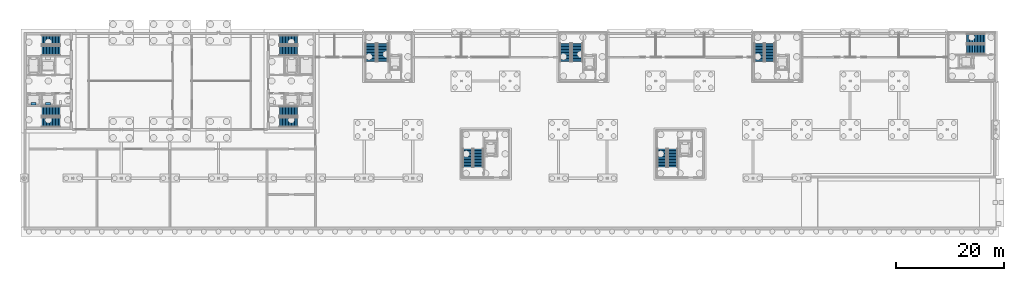
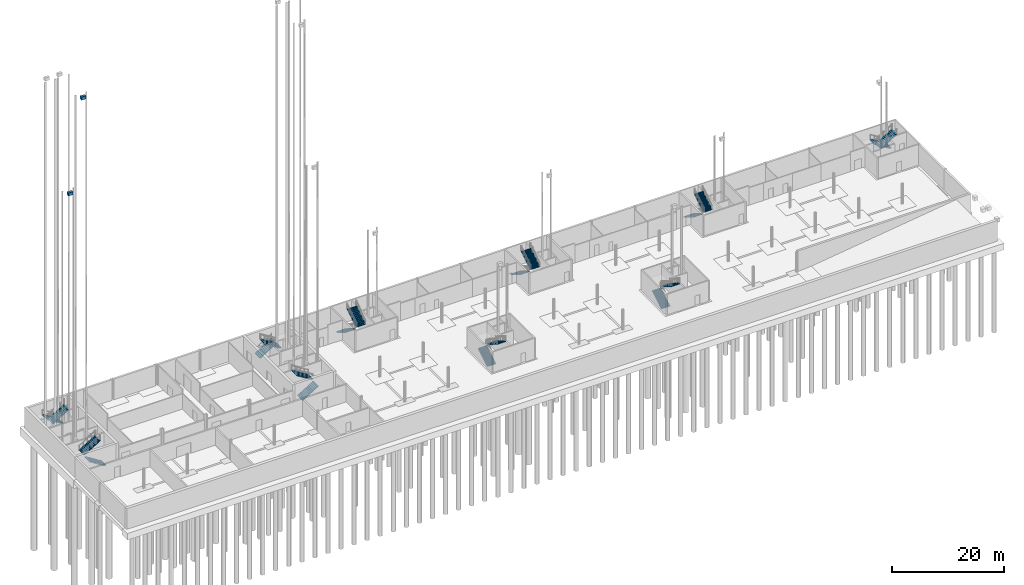
# One storey, part 19 of 41: 20 stair flights, 2 discrete accessories, 10 elements without a shape of their own.
"""IFC4 building model written with IfcOpenShell, lengths in metres."""

from ifc_helpers import new_model, si_unit, direction, frame, origin, origin_2d, place, context, subcontext, project, spatial, polyline, rectangle, outline, extrude, material, type_object, element, aggregate, save


model = new_model("IFC4")

# Units and contexts
model_context = context("Model", 3, precision=1e-05, world=origin(), true_north=direction((0.0, 1.0)))
body_context = subcontext(model_context, "Body", "Model", "MODEL_VIEW")
ifc_project = project(units=[si_unit("LENGTHUNIT", "METRE"), si_unit("AREAUNIT", "SQUARE_METRE"), si_unit("VOLUMEUNIT", "CUBIC_METRE"), si_unit("PLANEANGLEUNIT", "RADIAN"), si_unit("MASSUNIT", "GRAM", prefix="KILO")], contexts=[model_context])

# Site, building, storey
site_placement = place(None, origin())
site = spatial("IfcSite", under=ifc_project, at=site_placement, CompositionType="ELEMENT")
building_placement = place(site_placement, origin())
building = spatial("IfcBuilding", under=site, at=building_placement, Name="Corbel Yard City Hall", CompositionType="ELEMENT")
storey_placement = place(building_placement, frame((0.0, 0.0, -4.5)))
storey = spatial("IfcBuildingStorey", under=building, at=storey_placement, Name="B1", CompositionType="ELEMENT", Elevation=-4.5)

# Stair, stair flights
ifc_material_1 = material(Name="Concrete N40 (40 MPa)", Category="concrete")
stair_type_1 = type_object("IfcStairType", Name="ST1", PredefinedType="HALF_TURN_STAIR", material=ifc_material_1)
stair_1_placement = place(storey_placement, origin())
stair_1 = element("IfcStair", 1, at=stair_1_placement, inside=storey, type_object=stair_type_1, Name="Exit stair B1", PredefinedType="HALF_TURN_STAIR")
stair_flight_type_1 = type_object("IfcStairFlightType", Name="FL1", PredefinedType="STRAIGHT", material=ifc_material_1)
stair_flight_1_placement = place(storey_placement, frame((136.14990234375, 114.949951171875, 0.0), z_axis=(0.0, 0.0, 1.0), x_axis=(0.0, -1.0, 0.0)))
stair_flight_1 = element("IfcStairFlight", 2, at=stair_flight_1_placement, type_object=stair_flight_type_1, Name="PS18 flight 1", NumberOfRisers=13, NumberOfTreads=12, PredefinedType="STRAIGHT", RiserHeight=0.173077, TreadLength=0.28, context=body_context, shape_type="SweptSolid", body=[
    extrude(outline(polyline([(0.0, 0.0), (0.0, 0.173095703125), (0.280029296875, 0.173095703125), (0.280029296875, 0.34619140625), (0.56005859375, 0.34619140625), (0.56005859375, 0.519287109375), (0.840087890625, 0.519287109375), (0.840087890625, 0.6923828125), (1.1201171875, 0.6923828125), (1.1201171875, 0.865478515625), (1.39990234375, 0.865478515625), (1.39990234375, 1.03857421875), (1.679931640625, 1.03857421875), (1.679931640625, 1.21142578125), (1.9599609375, 1.21142578125), (1.9599609375, 1.384521484375), (2.239990234375, 1.384521484375), (2.239990234375, 1.5576171875), (2.52001953125, 1.5576171875), (2.52001953125, 1.730712890625), (2.800048828125, 1.730712890625), (2.800048828125, 1.90380859375), (3.080078125, 1.90380859375), (3.080078125, 2.076904296875), (3.360107421875, 2.076904296875), (3.360107421875, 2.25), (3.360107421875, 1.900634765625), (0.28515625, 0.0), (0.0, 0.0)])), frame((0.0, 0.89990234375, 0.0), z_axis=(0.0, -1.0, 0.0), x_axis=(1.0, 0.0, 0.0)), (0.0, 0.0, 1.0), 1.800048828125),
])
stair_flight_2_placement = place(storey_placement, frame((138.14990234375, 111.590087890625, 2.25), z_axis=(0.0, 0.0, 1.0), x_axis=(0.0, 1.0, 0.0)))
stair_flight_2 = element("IfcStairFlight", 3, at=stair_flight_2_placement, type_object=stair_flight_type_1, Name="PS18 flight 2", NumberOfRisers=13, NumberOfTreads=12, PredefinedType="STRAIGHT", RiserHeight=0.173077, TreadLength=0.28, context=body_context, shape_type="SweptSolid", body=[
    extrude(outline(polyline([(0.0, 0.0), (0.0, 0.173095703125), (0.280029296875, 0.173095703125), (0.280029296875, 0.34619140625), (0.56005859375, 0.34619140625), (0.56005859375, 0.519287109375), (0.840087890625, 0.519287109375), (0.840087890625, 0.6923828125), (1.1201171875, 0.6923828125), (1.1201171875, 0.865478515625), (1.39990234375, 0.865478515625), (1.39990234375, 1.03857421875), (1.679931640625, 1.03857421875), (1.679931640625, 1.21142578125), (1.9599609375, 1.21142578125), (1.9599609375, 1.384521484375), (2.239990234375, 1.384521484375), (2.239990234375, 1.5576171875), (2.52001953125, 1.5576171875), (2.52001953125, 1.730712890625), (2.800048828125, 1.730712890625), (2.800048828125, 1.90380859375), (3.080078125, 1.90380859375), (3.080078125, 2.076904296875), (3.360107421875, 2.076904296875), (3.360107421875, 2.25), (3.360107421875, 1.900634765625), (0.28515625, 0.0), (0.0, 0.0)])), frame((0.0, 0.89990234375, 0.0), z_axis=(0.0, -1.0, 0.0), x_axis=(1.0, 0.0, 0.0)), (0.0, 0.0, 1.0), 1.800048828125),
])
aggregate(stair_1, [stair_flight_1, stair_flight_2])

stair_2_placement = place(storey_placement, origin())
stair_2 = element("IfcStair", 4, at=stair_2_placement, inside=storey, type_object=stair_type_1, Name="Exit stair B1", PredefinedType="HALF_TURN_STAIR")
stair_flight_3_placement = place(storey_placement, frame((177.949951171875, 115.85009765625, 0.0), z_axis=(0.0, 0.0, 1.0), x_axis=(-1.0, 0.0, 0.0)))
stair_flight_3 = element("IfcStairFlight", 5, at=stair_flight_3_placement, type_object=stair_flight_type_1, Name="PS19 flight 1", NumberOfRisers=13, NumberOfTreads=12, PredefinedType="STRAIGHT", RiserHeight=0.173077, TreadLength=0.28, context=body_context, shape_type="SweptSolid", body=[
    extrude(outline(polyline([(0.0, 0.0), (0.0, 0.173095703125), (0.280029296875, 0.173095703125), (0.280029296875, 0.34619140625), (0.56005859375, 0.34619140625), (0.56005859375, 0.519287109375), (0.840087890625, 0.519287109375), (0.840087890625, 0.6923828125), (1.1201171875, 0.6923828125), (1.1201171875, 0.865478515625), (1.39990234375, 0.865478515625), (1.39990234375, 1.03857421875), (1.679931640625, 1.03857421875), (1.679931640625, 1.21142578125), (1.9599609375, 1.21142578125), (1.9599609375, 1.384521484375), (2.239990234375, 1.384521484375), (2.239990234375, 1.5576171875), (2.52001953125, 1.5576171875), (2.52001953125, 1.730712890625), (2.800048828125, 1.730712890625), (2.800048828125, 1.90380859375), (3.080078125, 1.90380859375), (3.080078125, 2.076904296875), (3.360107421875, 2.076904296875), (3.360107421875, 2.25), (3.360107421875, 1.900634765625), (0.28515625, 0.0), (0.0, 0.0)])), frame((0.0, 0.89990234375, 0.0), z_axis=(0.0, -1.0, 0.0), x_axis=(1.0, 0.0, 0.0)), (0.0, 0.0, 1.0), 1.800048828125),
])
stair_flight_4_placement = place(storey_placement, frame((174.590087890625, 113.85009765625, 2.25), z_axis=(0.0, 0.0, 1.0), x_axis=(1.0, 0.0, 0.0)))
stair_flight_4 = element("IfcStairFlight", 6, at=stair_flight_4_placement, type_object=stair_flight_type_1, Name="PS19 flight 2", NumberOfRisers=13, NumberOfTreads=12, PredefinedType="STRAIGHT", RiserHeight=0.173077, TreadLength=0.28, context=body_context, shape_type="SweptSolid", body=[
    extrude(outline(polyline([(0.0, 0.0), (0.0, 0.173095703125), (0.280029296875, 0.173095703125), (0.280029296875, 0.34619140625), (0.56005859375, 0.34619140625), (0.56005859375, 0.519287109375), (0.840087890625, 0.519287109375), (0.840087890625, 0.6923828125), (1.1201171875, 0.6923828125), (1.1201171875, 0.865478515625), (1.39990234375, 0.865478515625), (1.39990234375, 1.03857421875), (1.679931640625, 1.03857421875), (1.679931640625, 1.21142578125), (1.9599609375, 1.21142578125), (1.9599609375, 1.384521484375), (2.239990234375, 1.384521484375), (2.239990234375, 1.5576171875), (2.52001953125, 1.5576171875), (2.52001953125, 1.730712890625), (2.800048828125, 1.730712890625), (2.800048828125, 1.90380859375), (3.080078125, 1.90380859375), (3.080078125, 2.076904296875), (3.360107421875, 2.076904296875), (3.360107421875, 2.25), (3.360107421875, 1.900634765625), (0.28515625, 0.0), (0.0, 0.0)])), frame((0.0, 0.89990234375, 0.0), z_axis=(0.0, -1.0, 0.0), x_axis=(1.0, 0.0, 0.0)), (0.0, 0.0, 1.0), 1.800048828125),
])
aggregate(stair_2, [stair_flight_3, stair_flight_4])

stair_3_placement = place(storey_placement, origin())
stair_3 = element("IfcStair", 7, at=stair_3_placement, inside=storey, type_object=stair_type_1, Name="Exit stair B1", PredefinedType="HALF_TURN_STAIR")
stair_flight_5_placement = place(storey_placement, frame((82.14990234375, 92.050048828125, 0.0), z_axis=(0.0, 0.0, 1.0), x_axis=(0.0, 1.0, 0.0)))
stair_flight_5 = element("IfcStairFlight", 8, at=stair_flight_5_placement, type_object=stair_flight_type_1, Name="PS20 flight 1", NumberOfRisers=13, NumberOfTreads=12, PredefinedType="STRAIGHT", RiserHeight=0.173077, TreadLength=0.28, context=body_context, shape_type="SweptSolid", body=[
    extrude(outline(polyline([(0.0, 0.0), (0.0, 0.173095703125), (0.280029296875, 0.173095703125), (0.280029296875, 0.34619140625), (0.56005859375, 0.34619140625), (0.56005859375, 0.519287109375), (0.840087890625, 0.519287109375), (0.840087890625, 0.6923828125), (1.1201171875, 0.6923828125), (1.1201171875, 0.865478515625), (1.39990234375, 0.865478515625), (1.39990234375, 1.03857421875), (1.679931640625, 1.03857421875), (1.679931640625, 1.21142578125), (1.9599609375, 1.21142578125), (1.9599609375, 1.384521484375), (2.239990234375, 1.384521484375), (2.239990234375, 1.5576171875), (2.52001953125, 1.5576171875), (2.52001953125, 1.730712890625), (2.800048828125, 1.730712890625), (2.800048828125, 1.90380859375), (3.080078125, 1.90380859375), (3.080078125, 2.076904296875), (3.360107421875, 2.076904296875), (3.360107421875, 2.25), (3.360107421875, 1.900634765625), (0.28515625, 0.0), (0.0, 0.0)])), frame((0.0, 0.89990234375, 0.0), z_axis=(0.0, -1.0, 0.0), x_axis=(1.0, 0.0, 0.0)), (0.0, 0.0, 1.0), 1.800048828125),
])
stair_flight_6_placement = place(storey_placement, frame((84.14990234375, 95.409912109375, 2.25), z_axis=(0.0, 0.0, 1.0), x_axis=(0.0, -1.0, 0.0)))
stair_flight_6 = element("IfcStairFlight", 9, at=stair_flight_6_placement, type_object=stair_flight_type_1, Name="PS20 flight 2", NumberOfRisers=13, NumberOfTreads=12, PredefinedType="STRAIGHT", RiserHeight=0.173077, TreadLength=0.28, context=body_context, shape_type="SweptSolid", body=[
    extrude(outline(polyline([(0.0, 0.0), (0.0, 0.173095703125), (0.280029296875, 0.173095703125), (0.280029296875, 0.34619140625), (0.56005859375, 0.34619140625), (0.56005859375, 0.519287109375), (0.840087890625, 0.519287109375), (0.840087890625, 0.6923828125), (1.1201171875, 0.6923828125), (1.1201171875, 0.865478515625), (1.39990234375, 0.865478515625), (1.39990234375, 1.03857421875), (1.679931640625, 1.03857421875), (1.679931640625, 1.21142578125), (1.9599609375, 1.21142578125), (1.9599609375, 1.384521484375), (2.239990234375, 1.384521484375), (2.239990234375, 1.5576171875), (2.52001953125, 1.5576171875), (2.52001953125, 1.730712890625), (2.800048828125, 1.730712890625), (2.800048828125, 1.90380859375), (3.080078125, 1.90380859375), (3.080078125, 2.076904296875), (3.360107421875, 2.076904296875), (3.360107421875, 2.25), (3.360107421875, 1.900634765625), (0.28515625, 0.0), (0.0, 0.0)])), frame((0.0, 0.89990234375, 0.0), z_axis=(0.0, -1.0, 0.0), x_axis=(1.0, 0.0, 0.0)), (0.0, 0.0, 1.0), 1.800048828125),
])
aggregate(stair_3, [stair_flight_5, stair_flight_6])

stair_4_placement = place(storey_placement, origin())
stair_4 = element("IfcStair", 10, at=stair_4_placement, inside=storey, type_object=stair_type_1, Name="Exit stair B1", PredefinedType="HALF_TURN_STAIR")
stair_flight_7_placement = place(storey_placement, frame((118.14990234375, 92.050048828125, 0.0), z_axis=(0.0, 0.0, 1.0), x_axis=(0.0, 1.0, 0.0)))
stair_flight_7 = element("IfcStairFlight", 11, at=stair_flight_7_placement, type_object=stair_flight_type_1, Name="PS21 flight 1", NumberOfRisers=13, NumberOfTreads=12, PredefinedType="STRAIGHT", RiserHeight=0.173077, TreadLength=0.28, context=body_context, shape_type="SweptSolid", body=[
    extrude(outline(polyline([(0.0, 0.0), (0.0, 0.173095703125), (0.280029296875, 0.173095703125), (0.280029296875, 0.34619140625), (0.56005859375, 0.34619140625), (0.56005859375, 0.519287109375), (0.840087890625, 0.519287109375), (0.840087890625, 0.6923828125), (1.1201171875, 0.6923828125), (1.1201171875, 0.865478515625), (1.39990234375, 0.865478515625), (1.39990234375, 1.03857421875), (1.679931640625, 1.03857421875), (1.679931640625, 1.21142578125), (1.9599609375, 1.21142578125), (1.9599609375, 1.384521484375), (2.239990234375, 1.384521484375), (2.239990234375, 1.5576171875), (2.52001953125, 1.5576171875), (2.52001953125, 1.730712890625), (2.800048828125, 1.730712890625), (2.800048828125, 1.90380859375), (3.080078125, 1.90380859375), (3.080078125, 2.076904296875), (3.360107421875, 2.076904296875), (3.360107421875, 2.25), (3.360107421875, 1.900634765625), (0.28515625, 0.0), (0.0, 0.0)])), frame((0.0, 0.89990234375, 0.0), z_axis=(0.0, -1.0, 0.0), x_axis=(1.0, 0.0, 0.0)), (0.0, 0.0, 1.0), 1.800048828125),
])
stair_flight_8_placement = place(storey_placement, frame((120.14990234375, 95.409912109375, 2.25), z_axis=(0.0, 0.0, 1.0), x_axis=(0.0, -1.0, 0.0)))
stair_flight_8 = element("IfcStairFlight", 12, at=stair_flight_8_placement, type_object=stair_flight_type_1, Name="PS21 flight 2", NumberOfRisers=13, NumberOfTreads=12, PredefinedType="STRAIGHT", RiserHeight=0.173077, TreadLength=0.28, context=body_context, shape_type="SweptSolid", body=[
    extrude(outline(polyline([(0.0, 0.0), (0.0, 0.173095703125), (0.280029296875, 0.173095703125), (0.280029296875, 0.34619140625), (0.56005859375, 0.34619140625), (0.56005859375, 0.519287109375), (0.840087890625, 0.519287109375), (0.840087890625, 0.6923828125), (1.1201171875, 0.6923828125), (1.1201171875, 0.865478515625), (1.39990234375, 0.865478515625), (1.39990234375, 1.03857421875), (1.679931640625, 1.03857421875), (1.679931640625, 1.21142578125), (1.9599609375, 1.21142578125), (1.9599609375, 1.384521484375), (2.239990234375, 1.384521484375), (2.239990234375, 1.5576171875), (2.52001953125, 1.5576171875), (2.52001953125, 1.730712890625), (2.800048828125, 1.730712890625), (2.800048828125, 1.90380859375), (3.080078125, 1.90380859375), (3.080078125, 2.076904296875), (3.360107421875, 2.076904296875), (3.360107421875, 2.25), (3.360107421875, 1.900634765625), (0.28515625, 0.0), (0.0, 0.0)])), frame((0.0, 0.89990234375, 0.0), z_axis=(0.0, -1.0, 0.0), x_axis=(1.0, 0.0, 0.0)), (0.0, 0.0, 1.0), 1.800048828125),
])
aggregate(stair_4, [stair_flight_7, stair_flight_8])

stair_5_placement = place(storey_placement, origin())
stair_5 = element("IfcStair", 13, at=stair_5_placement, inside=storey, type_object=stair_type_1, Name="Exit stair ST-W1 B1", PredefinedType="HALF_TURN_STAIR")
stair_flight_9_placement = place(storey_placement, frame((6.699951171875, 100.39990234375, 0.0), z_axis=(0.0, 0.0, 1.0), x_axis=(-1.0, 0.0, 0.0)))
stair_flight_9 = element("IfcStairFlight", 14, at=stair_flight_9_placement, type_object=stair_flight_type_1, Name="ST-W1 flight 1", NumberOfRisers=13, NumberOfTreads=12, PredefinedType="STRAIGHT", RiserHeight=0.173077, TreadLength=0.28, context=body_context, shape_type="SweptSolid", body=[
    extrude(outline(polyline([(0.0, 0.0), (0.0, 0.173095703125), (0.280029296875, 0.173095703125), (0.280029296875, 0.34619140625), (0.56005859375, 0.34619140625), (0.56005859375, 0.519287109375), (0.840087890625, 0.519287109375), (0.840087890625, 0.6923828125), (1.1201171875, 0.6923828125), (1.1201171875, 0.865478515625), (1.39990234375, 0.865478515625), (1.39990234375, 1.03857421875), (1.679931640625, 1.03857421875), (1.679931640625, 1.21142578125), (1.9599609375, 1.21142578125), (1.9599609375, 1.384521484375), (2.239990234375, 1.384521484375), (2.239990234375, 1.5576171875), (2.52001953125, 1.5576171875), (2.52001953125, 1.730712890625), (2.800048828125, 1.730712890625), (2.800048828125, 1.90380859375), (3.080078125, 1.90380859375), (3.080078125, 2.076904296875), (3.360107421875, 2.076904296875), (3.360107421875, 2.25), (3.360107421875, 1.900634765625), (0.28515625, 0.0), (0.0, 0.0)])), frame((0.0, 0.89990234375, 0.0), z_axis=(0.0, -1.0, 0.0), x_axis=(1.0, 0.0, 0.0)), (0.0, 0.0, 1.0), 1.800048828125),
])
stair_flight_10_placement = place(storey_placement, frame((3.340087890625, 102.39990234375, 2.25), z_axis=(0.0, 0.0, 1.0), x_axis=(1.0, 0.0, 0.0)))
stair_flight_10 = element("IfcStairFlight", 15, at=stair_flight_10_placement, type_object=stair_flight_type_1, Name="ST-W1 flight 2", NumberOfRisers=13, NumberOfTreads=12, PredefinedType="STRAIGHT", RiserHeight=0.173077, TreadLength=0.28, context=body_context, shape_type="SweptSolid", body=[
    extrude(outline(polyline([(0.0, 0.0), (0.0, 0.173095703125), (0.280029296875, 0.173095703125), (0.280029296875, 0.34619140625), (0.56005859375, 0.34619140625), (0.56005859375, 0.519287109375), (0.840087890625, 0.519287109375), (0.840087890625, 0.6923828125), (1.1201171875, 0.6923828125), (1.1201171875, 0.865478515625), (1.39990234375, 0.865478515625), (1.39990234375, 1.03857421875), (1.679931640625, 1.03857421875), (1.679931640625, 1.21142578125), (1.9599609375, 1.21142578125), (1.9599609375, 1.384521484375), (2.239990234375, 1.384521484375), (2.239990234375, 1.5576171875), (2.52001953125, 1.5576171875), (2.52001953125, 1.730712890625), (2.800048828125, 1.730712890625), (2.800048828125, 1.90380859375), (3.080078125, 1.90380859375), (3.080078125, 2.076904296875), (3.360107421875, 2.076904296875), (3.360107421875, 2.25), (3.360107421875, 1.900634765625), (0.28515625, 0.0), (0.0, 0.0)])), frame((0.0, 0.89990234375, 0.0), z_axis=(0.0, -1.0, 0.0), x_axis=(1.0, 0.0, 0.0)), (0.0, 0.0, 1.0), 1.800048828125),
])
aggregate(stair_5, [stair_flight_9, stair_flight_10])

stair_6_placement = place(storey_placement, origin())
stair_6 = element("IfcStair", 16, at=stair_6_placement, inside=storey, type_object=stair_type_1, Name="Exit stair ST-W2 B1", PredefinedType="HALF_TURN_STAIR")
stair_flight_11_placement = place(storey_placement, frame((6.699951171875, 115.60009765625, 0.0), z_axis=(0.0, 0.0, 1.0), x_axis=(-1.0, 0.0, 0.0)))
stair_flight_11 = element("IfcStairFlight", 17, at=stair_flight_11_placement, type_object=stair_flight_type_1, Name="ST-W2 flight 1", NumberOfRisers=13, NumberOfTreads=12, PredefinedType="STRAIGHT", RiserHeight=0.173077, TreadLength=0.28, context=body_context, shape_type="SweptSolid", body=[
    extrude(outline(polyline([(0.0, 0.0), (0.0, 0.173095703125), (0.280029296875, 0.173095703125), (0.280029296875, 0.34619140625), (0.56005859375, 0.34619140625), (0.56005859375, 0.519287109375), (0.840087890625, 0.519287109375), (0.840087890625, 0.6923828125), (1.1201171875, 0.6923828125), (1.1201171875, 0.865478515625), (1.39990234375, 0.865478515625), (1.39990234375, 1.03857421875), (1.679931640625, 1.03857421875), (1.679931640625, 1.21142578125), (1.9599609375, 1.21142578125), (1.9599609375, 1.384521484375), (2.239990234375, 1.384521484375), (2.239990234375, 1.5576171875), (2.52001953125, 1.5576171875), (2.52001953125, 1.730712890625), (2.800048828125, 1.730712890625), (2.800048828125, 1.90380859375), (3.080078125, 1.90380859375), (3.080078125, 2.076904296875), (3.360107421875, 2.076904296875), (3.360107421875, 2.25), (3.360107421875, 1.900634765625), (0.28515625, 0.0), (0.0, 0.0)])), frame((0.0, 0.89990234375, 0.0), z_axis=(0.0, -1.0, 0.0), x_axis=(1.0, 0.0, 0.0)), (0.0, 0.0, 1.0), 1.800048828125),
])
stair_flight_12_placement = place(storey_placement, frame((3.340087890625, 113.60009765625, 2.25), z_axis=(0.0, 0.0, 1.0), x_axis=(1.0, 0.0, 0.0)))
stair_flight_12 = element("IfcStairFlight", 18, at=stair_flight_12_placement, type_object=stair_flight_type_1, Name="ST-W2 flight 2", NumberOfRisers=13, NumberOfTreads=12, PredefinedType="STRAIGHT", RiserHeight=0.173077, TreadLength=0.28, context=body_context, shape_type="SweptSolid", body=[
    extrude(outline(polyline([(0.0, 0.0), (0.0, 0.173095703125), (0.280029296875, 0.173095703125), (0.280029296875, 0.34619140625), (0.56005859375, 0.34619140625), (0.56005859375, 0.519287109375), (0.840087890625, 0.519287109375), (0.840087890625, 0.6923828125), (1.1201171875, 0.6923828125), (1.1201171875, 0.865478515625), (1.39990234375, 0.865478515625), (1.39990234375, 1.03857421875), (1.679931640625, 1.03857421875), (1.679931640625, 1.21142578125), (1.9599609375, 1.21142578125), (1.9599609375, 1.384521484375), (2.239990234375, 1.384521484375), (2.239990234375, 1.5576171875), (2.52001953125, 1.5576171875), (2.52001953125, 1.730712890625), (2.800048828125, 1.730712890625), (2.800048828125, 1.90380859375), (3.080078125, 1.90380859375), (3.080078125, 2.076904296875), (3.360107421875, 2.076904296875), (3.360107421875, 2.25), (3.360107421875, 1.900634765625), (0.28515625, 0.0), (0.0, 0.0)])), frame((0.0, 0.89990234375, 0.0), z_axis=(0.0, -1.0, 0.0), x_axis=(1.0, 0.0, 0.0)), (0.0, 0.0, 1.0), 1.800048828125),
])
aggregate(stair_6, [stair_flight_11, stair_flight_12])

stair_7_placement = place(storey_placement, origin())
stair_7 = element("IfcStair", 19, at=stair_7_placement, inside=storey, type_object=stair_type_1, Name="Exit stair ST-E1 B1", PredefinedType="HALF_TURN_STAIR")
stair_flight_13_placement = place(storey_placement, frame((47.300048828125, 100.39990234375, 0.0), z_axis=(0.0, 0.0, 1.0), x_axis=(1.0, 0.0, 0.0)))
stair_flight_13 = element("IfcStairFlight", 20, at=stair_flight_13_placement, type_object=stair_flight_type_1, Name="ST-E1 flight 1", NumberOfRisers=13, NumberOfTreads=12, PredefinedType="STRAIGHT", RiserHeight=0.173077, TreadLength=0.28, context=body_context, shape_type="SweptSolid", body=[
    extrude(outline(polyline([(0.0, 0.0), (0.0, 0.173095703125), (0.280029296875, 0.173095703125), (0.280029296875, 0.34619140625), (0.56005859375, 0.34619140625), (0.56005859375, 0.519287109375), (0.840087890625, 0.519287109375), (0.840087890625, 0.6923828125), (1.1201171875, 0.6923828125), (1.1201171875, 0.865478515625), (1.39990234375, 0.865478515625), (1.39990234375, 1.03857421875), (1.679931640625, 1.03857421875), (1.679931640625, 1.21142578125), (1.9599609375, 1.21142578125), (1.9599609375, 1.384521484375), (2.239990234375, 1.384521484375), (2.239990234375, 1.5576171875), (2.52001953125, 1.5576171875), (2.52001953125, 1.730712890625), (2.800048828125, 1.730712890625), (2.800048828125, 1.90380859375), (3.080078125, 1.90380859375), (3.080078125, 2.076904296875), (3.360107421875, 2.076904296875), (3.360107421875, 2.25), (3.360107421875, 1.900634765625), (0.28515625, 0.0), (0.0, 0.0)])), frame((0.0, 0.89990234375, 0.0), z_axis=(0.0, -1.0, 0.0), x_axis=(1.0, 0.0, 0.0)), (0.0, 0.0, 1.0), 1.800048828125),
])
stair_flight_14_placement = place(storey_placement, frame((50.659912109375, 102.39990234375, 2.25), z_axis=(0.0, 0.0, 1.0), x_axis=(-1.0, 0.0, 0.0)))
stair_flight_14 = element("IfcStairFlight", 21, at=stair_flight_14_placement, type_object=stair_flight_type_1, Name="ST-E1 flight 2", NumberOfRisers=13, NumberOfTreads=12, PredefinedType="STRAIGHT", RiserHeight=0.173077, TreadLength=0.28, context=body_context, shape_type="SweptSolid", body=[
    extrude(outline(polyline([(0.0, 0.0), (0.0, 0.173095703125), (0.280029296875, 0.173095703125), (0.280029296875, 0.34619140625), (0.56005859375, 0.34619140625), (0.56005859375, 0.519287109375), (0.840087890625, 0.519287109375), (0.840087890625, 0.6923828125), (1.1201171875, 0.6923828125), (1.1201171875, 0.865478515625), (1.39990234375, 0.865478515625), (1.39990234375, 1.03857421875), (1.679931640625, 1.03857421875), (1.679931640625, 1.21142578125), (1.9599609375, 1.21142578125), (1.9599609375, 1.384521484375), (2.239990234375, 1.384521484375), (2.239990234375, 1.5576171875), (2.52001953125, 1.5576171875), (2.52001953125, 1.730712890625), (2.800048828125, 1.730712890625), (2.800048828125, 1.90380859375), (3.080078125, 1.90380859375), (3.080078125, 2.076904296875), (3.360107421875, 2.076904296875), (3.360107421875, 2.25), (3.360107421875, 1.900634765625), (0.28515625, 0.0), (0.0, 0.0)])), frame((0.0, 0.89990234375, 0.0), z_axis=(0.0, -1.0, 0.0), x_axis=(1.0, 0.0, 0.0)), (0.0, 0.0, 1.0), 1.800048828125),
])
aggregate(stair_7, [stair_flight_13, stair_flight_14])

stair_8_placement = place(storey_placement, origin())
stair_8 = element("IfcStair", 22, at=stair_8_placement, inside=storey, type_object=stair_type_1, Name="Exit stair ST-E2 B1", PredefinedType="HALF_TURN_STAIR")
stair_flight_15_placement = place(storey_placement, frame((47.300048828125, 115.60009765625, 0.0), z_axis=(0.0, 0.0, 1.0), x_axis=(1.0, 0.0, 0.0)))
stair_flight_15 = element("IfcStairFlight", 23, at=stair_flight_15_placement, type_object=stair_flight_type_1, Name="ST-E2 flight 1", NumberOfRisers=13, NumberOfTreads=12, PredefinedType="STRAIGHT", RiserHeight=0.173077, TreadLength=0.28, context=body_context, shape_type="SweptSolid", body=[
    extrude(outline(polyline([(0.0, 0.0), (0.0, 0.173095703125), (0.280029296875, 0.173095703125), (0.280029296875, 0.34619140625), (0.56005859375, 0.34619140625), (0.56005859375, 0.519287109375), (0.840087890625, 0.519287109375), (0.840087890625, 0.6923828125), (1.1201171875, 0.6923828125), (1.1201171875, 0.865478515625), (1.39990234375, 0.865478515625), (1.39990234375, 1.03857421875), (1.679931640625, 1.03857421875), (1.679931640625, 1.21142578125), (1.9599609375, 1.21142578125), (1.9599609375, 1.384521484375), (2.239990234375, 1.384521484375), (2.239990234375, 1.5576171875), (2.52001953125, 1.5576171875), (2.52001953125, 1.730712890625), (2.800048828125, 1.730712890625), (2.800048828125, 1.90380859375), (3.080078125, 1.90380859375), (3.080078125, 2.076904296875), (3.360107421875, 2.076904296875), (3.360107421875, 2.25), (3.360107421875, 1.900634765625), (0.28515625, 0.0), (0.0, 0.0)])), frame((0.0, 0.89990234375, 0.0), z_axis=(0.0, -1.0, 0.0), x_axis=(1.0, 0.0, 0.0)), (0.0, 0.0, 1.0), 1.800048828125),
])
stair_flight_16_placement = place(storey_placement, frame((50.659912109375, 113.60009765625, 2.25), z_axis=(0.0, 0.0, 1.0), x_axis=(-1.0, 0.0, 0.0)))
stair_flight_16 = element("IfcStairFlight", 24, at=stair_flight_16_placement, type_object=stair_flight_type_1, Name="ST-E2 flight 2", NumberOfRisers=13, NumberOfTreads=12, PredefinedType="STRAIGHT", RiserHeight=0.173077, TreadLength=0.28, context=body_context, shape_type="SweptSolid", body=[
    extrude(outline(polyline([(0.0, 0.0), (0.0, 0.173095703125), (0.280029296875, 0.173095703125), (0.280029296875, 0.34619140625), (0.56005859375, 0.34619140625), (0.56005859375, 0.519287109375), (0.840087890625, 0.519287109375), (0.840087890625, 0.6923828125), (1.1201171875, 0.6923828125), (1.1201171875, 0.865478515625), (1.39990234375, 0.865478515625), (1.39990234375, 1.03857421875), (1.679931640625, 1.03857421875), (1.679931640625, 1.21142578125), (1.9599609375, 1.21142578125), (1.9599609375, 1.384521484375), (2.239990234375, 1.384521484375), (2.239990234375, 1.5576171875), (2.52001953125, 1.5576171875), (2.52001953125, 1.730712890625), (2.800048828125, 1.730712890625), (2.800048828125, 1.90380859375), (3.080078125, 1.90380859375), (3.080078125, 2.076904296875), (3.360107421875, 2.076904296875), (3.360107421875, 2.25), (3.360107421875, 1.900634765625), (0.28515625, 0.0), (0.0, 0.0)])), frame((0.0, 0.89990234375, 0.0), z_axis=(0.0, -1.0, 0.0), x_axis=(1.0, 0.0, 0.0)), (0.0, 0.0, 1.0), 1.800048828125),
])
aggregate(stair_8, [stair_flight_15, stair_flight_16])

stair_type_2 = type_object("IfcStairType", Name="ST31", PredefinedType="HALF_TURN_STAIR", material=ifc_material_1)
stair_9_placement = place(storey_placement, origin())
stair_9 = element("IfcStair", 25, at=stair_9_placement, inside=storey, type_object=stair_type_2, Name="Exit stair B1", PredefinedType="HALF_TURN_STAIR")
stair_flight_type_2 = type_object("IfcStairFlightType", Name="FL31", PredefinedType="STRAIGHT", material=ifc_material_1)
stair_flight_17_placement = place(storey_placement, frame((64.25, 114.949951171875, 0.0), z_axis=(0.0, 0.0, 1.0), x_axis=(0.0, -1.0, 0.0)))
stair_flight_17 = element("IfcStairFlight", 26, at=stair_flight_17_placement, type_object=stair_flight_type_2, Name="PS16 flight 1", NumberOfRisers=13, NumberOfTreads=12, PredefinedType="STRAIGHT", RiserHeight=0.173077, TreadLength=0.28, context=body_context, shape_type="SweptSolid", body=[
    extrude(outline(polyline([(0.0, 0.0), (0.0, 0.173095703125), (0.280029296875, 0.173095703125), (0.280029296875, 0.34619140625), (0.56005859375, 0.34619140625), (0.56005859375, 0.519287109375), (0.840087890625, 0.519287109375), (0.840087890625, 0.6923828125), (1.1201171875, 0.6923828125), (1.1201171875, 0.865478515625), (1.39990234375, 0.865478515625), (1.39990234375, 1.03857421875), (1.679931640625, 1.03857421875), (1.679931640625, 1.21142578125), (1.9599609375, 1.21142578125), (1.9599609375, 1.384521484375), (2.239990234375, 1.384521484375), (2.239990234375, 1.5576171875), (2.52001953125, 1.5576171875), (2.52001953125, 1.730712890625), (2.800048828125, 1.730712890625), (2.800048828125, 1.90380859375), (3.080078125, 1.90380859375), (3.080078125, 2.076904296875), (3.360107421875, 2.076904296875), (3.360107421875, 2.25), (3.360107421875, 1.900634765625), (0.28515625, 0.0), (0.0, 0.0)])), frame((0.0, 1.0, 0.0), z_axis=(0.0, -1.0, 0.0), x_axis=(1.0, 0.0, 0.0)), (0.0, 0.0, 1.0), 2.0),
])
stair_flight_18_placement = place(storey_placement, frame((66.449951171875, 111.590087890625, 2.25), z_axis=(0.0, 0.0, 1.0), x_axis=(0.0, 1.0, 0.0)))
stair_flight_18 = element("IfcStairFlight", 27, at=stair_flight_18_placement, type_object=stair_flight_type_2, Name="PS16 flight 2", NumberOfRisers=13, NumberOfTreads=12, PredefinedType="STRAIGHT", RiserHeight=0.173077, TreadLength=0.28, context=body_context, shape_type="SweptSolid", body=[
    extrude(outline(polyline([(0.0, 0.0), (0.0, 0.173095703125), (0.280029296875, 0.173095703125), (0.280029296875, 0.34619140625), (0.56005859375, 0.34619140625), (0.56005859375, 0.519287109375), (0.840087890625, 0.519287109375), (0.840087890625, 0.6923828125), (1.1201171875, 0.6923828125), (1.1201171875, 0.865478515625), (1.39990234375, 0.865478515625), (1.39990234375, 1.03857421875), (1.679931640625, 1.03857421875), (1.679931640625, 1.21142578125), (1.9599609375, 1.21142578125), (1.9599609375, 1.384521484375), (2.239990234375, 1.384521484375), (2.239990234375, 1.5576171875), (2.52001953125, 1.5576171875), (2.52001953125, 1.730712890625), (2.800048828125, 1.730712890625), (2.800048828125, 1.90380859375), (3.080078125, 1.90380859375), (3.080078125, 2.076904296875), (3.360107421875, 2.076904296875), (3.360107421875, 2.25), (3.360107421875, 1.900634765625), (0.28515625, 0.0), (0.0, 0.0)])), frame((0.0, 1.0, 0.0), z_axis=(0.0, -1.0, 0.0), x_axis=(1.0, 0.0, 0.0)), (0.0, 0.0, 1.0), 2.0),
])
aggregate(stair_9, [stair_flight_17, stair_flight_18])

stair_10_placement = place(storey_placement, origin())
stair_10 = element("IfcStair", 28, at=stair_10_placement, inside=storey, type_object=stair_type_2, Name="Exit stair B1", PredefinedType="HALF_TURN_STAIR")
stair_flight_19_placement = place(storey_placement, frame((100.25, 114.949951171875, 0.0), z_axis=(0.0, 0.0, 1.0), x_axis=(0.0, -1.0, 0.0)))
stair_flight_19 = element("IfcStairFlight", 29, at=stair_flight_19_placement, type_object=stair_flight_type_2, Name="PS17 flight 1", NumberOfRisers=13, NumberOfTreads=12, PredefinedType="STRAIGHT", RiserHeight=0.173077, TreadLength=0.28, context=body_context, shape_type="SweptSolid", body=[
    extrude(outline(polyline([(0.0, 0.0), (0.0, 0.173095703125), (0.280029296875, 0.173095703125), (0.280029296875, 0.34619140625), (0.56005859375, 0.34619140625), (0.56005859375, 0.519287109375), (0.840087890625, 0.519287109375), (0.840087890625, 0.6923828125), (1.1201171875, 0.6923828125), (1.1201171875, 0.865478515625), (1.39990234375, 0.865478515625), (1.39990234375, 1.03857421875), (1.679931640625, 1.03857421875), (1.679931640625, 1.21142578125), (1.9599609375, 1.21142578125), (1.9599609375, 1.384521484375), (2.239990234375, 1.384521484375), (2.239990234375, 1.5576171875), (2.52001953125, 1.5576171875), (2.52001953125, 1.730712890625), (2.800048828125, 1.730712890625), (2.800048828125, 1.90380859375), (3.080078125, 1.90380859375), (3.080078125, 2.076904296875), (3.360107421875, 2.076904296875), (3.360107421875, 2.25), (3.360107421875, 1.900634765625), (0.28515625, 0.0), (0.0, 0.0)])), frame((0.0, 1.0, 0.0), z_axis=(0.0, -1.0, 0.0), x_axis=(1.0, 0.0, 0.0)), (0.0, 0.0, 1.0), 2.0),
])
stair_flight_20_placement = place(storey_placement, frame((102.449951171875, 111.590087890625, 2.25), z_axis=(0.0, 0.0, 1.0), x_axis=(0.0, 1.0, 0.0)))
stair_flight_20 = element("IfcStairFlight", 30, at=stair_flight_20_placement, type_object=stair_flight_type_2, Name="PS17 flight 2", NumberOfRisers=13, NumberOfTreads=12, PredefinedType="STRAIGHT", RiserHeight=0.173077, TreadLength=0.28, context=body_context, shape_type="SweptSolid", body=[
    extrude(outline(polyline([(0.0, 0.0), (0.0, 0.173095703125), (0.280029296875, 0.173095703125), (0.280029296875, 0.34619140625), (0.56005859375, 0.34619140625), (0.56005859375, 0.519287109375), (0.840087890625, 0.519287109375), (0.840087890625, 0.6923828125), (1.1201171875, 0.6923828125), (1.1201171875, 0.865478515625), (1.39990234375, 0.865478515625), (1.39990234375, 1.03857421875), (1.679931640625, 1.03857421875), (1.679931640625, 1.21142578125), (1.9599609375, 1.21142578125), (1.9599609375, 1.384521484375), (2.239990234375, 1.384521484375), (2.239990234375, 1.5576171875), (2.52001953125, 1.5576171875), (2.52001953125, 1.730712890625), (2.800048828125, 1.730712890625), (2.800048828125, 1.90380859375), (3.080078125, 1.90380859375), (3.080078125, 2.076904296875), (3.360107421875, 2.076904296875), (3.360107421875, 2.25), (3.360107421875, 1.900634765625), (0.28515625, 0.0), (0.0, 0.0)])), frame((0.0, 1.0, 0.0), z_axis=(0.0, -1.0, 0.0), x_axis=(1.0, 0.0, 0.0)), (0.0, 0.0, 1.0), 2.0),
])
aggregate(stair_10, [stair_flight_19, stair_flight_20])

# Discrete accessories
ifc_material_2 = material(Name="Steel Grade G250", Category="steel")
discrete_accessory_type = type_object("IfcDiscreteAccessoryType", Name="LM1", PredefinedType="USERDEFINED", material=ifc_material_2)
for number, where, z_axis, x_axis, name in (
    (31, (4.449951171875, 103.800048828125, 78.2998046875), (0.0, 0.0, 1.0), (1.0, 0.0, 0.0), "Lift LP22 drive machine"),
    (32, (1.75, 103.800048828125, 58.2998046875), (0.0, 0.0, 1.0), (1.0, 0.0, 0.0), "Lift LP23 drive machine"),
):
    element("IfcDiscreteAccessory", number, at=place(storey_placement, frame(where, z_axis=z_axis, x_axis=x_axis)), inside=storey, type_object=discrete_accessory_type, Name=name, ObjectType="LIFT MACHINE", PredefinedType="USERDEFINED", context=body_context, shape_type="SweptSolid", body=[
        extrude(rectangle(XDim=0.89990234375, YDim=0.5, at=origin_2d()), origin(), (0.0, 0.0, 1.0), 0.699951171875),
    ])

save(model, "model.ifc")
